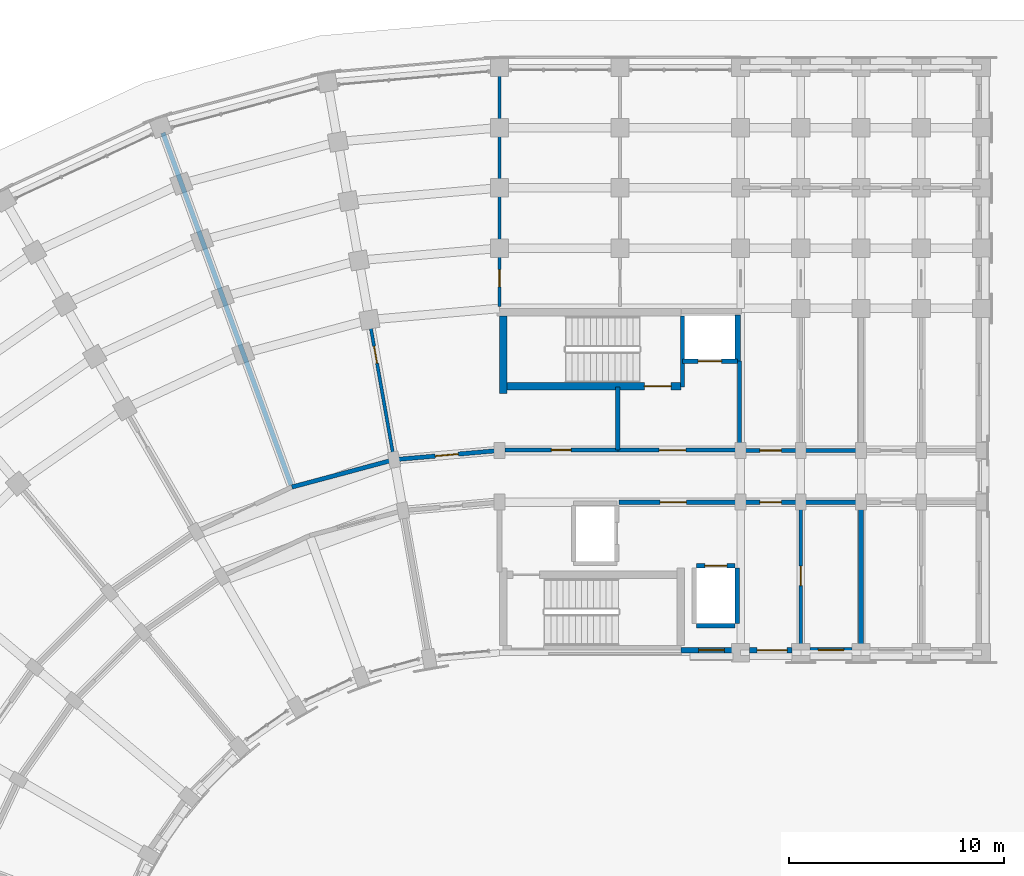
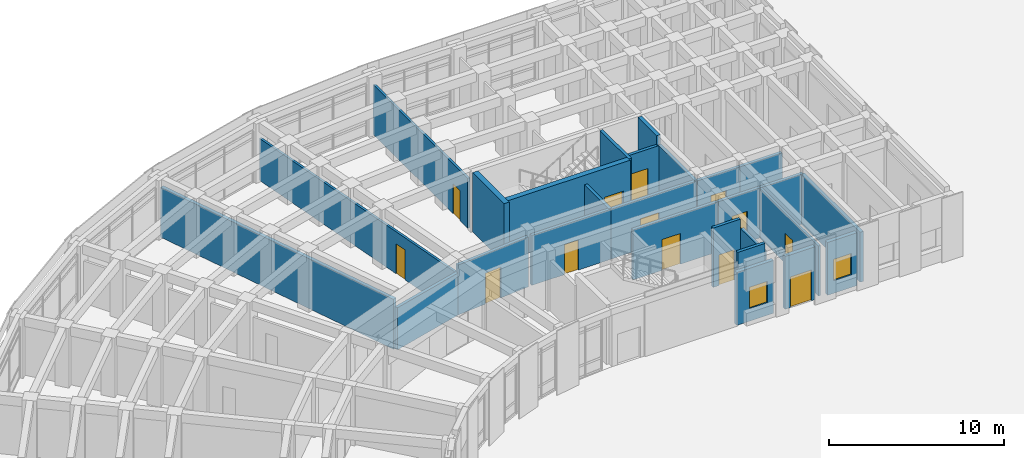
# One storey, part 101 of 135: 27 walls, 13 doors, 2 windows, 15 openings.
"""IFC4 building model written with IfcOpenShell, lengths in metres."""

from ifc_helpers import new_model, si_unit, direction, frame, frame_2d, origin, place, context, subcontext, project, spatial, rectangle, extrude, material, layer, layer_set, type_object, element, fill, save


model = new_model("IFC4")

# Units and contexts
model_context = context("Model", 3, precision=1e-05, world=origin(), true_north=direction((0.0, 1.0)))
body_context = subcontext(model_context, "Body", "Model", "MODEL_VIEW")
ifc_project = project(units=[si_unit("LENGTHUNIT", "METRE"), si_unit("AREAUNIT", "SQUARE_METRE"), si_unit("VOLUMEUNIT", "CUBIC_METRE"), si_unit("PLANEANGLEUNIT", "RADIAN"), si_unit("MASSUNIT", "GRAM", prefix="KILO")], contexts=[model_context])

# Site, building, storey
site_placement = place(None, origin())
site = spatial("IfcSite", under=ifc_project, at=site_placement, CompositionType="ELEMENT")
building_placement = place(site_placement, origin())
building = spatial("IfcBuilding", under=site, at=building_placement, Name="Kiranvali Square Residences", CompositionType="ELEMENT")
storey_placement = place(building_placement, origin())
storey = spatial("IfcBuildingStorey", under=building, at=storey_placement, Name="L00", CompositionType="ELEMENT", Elevation=0.0)

# Wall, opening, door
ifc_material_1 = material(Name="Autoclaved aerated concrete blockwork masonry", Category="masonry")
ifc_layer_1 = layer(ifc_material_1, 0.199951171875)
ifc_layer_set_1 = layer_set([ifc_layer_1], Name="Autoclaved aerated concrete blockwork masonry")
wall_type_1 = type_object("IfcWallType", Name="WL-COR-200", PredefinedType="STANDARD", material=ifc_layer_set_1)
wall_1_placement = place(storey_placement, frame((53.75, 113.60009765625, 0.0), z_axis=(0.0, 0.0, 1.0), x_axis=(1.0, 0.0, 0.0)))
wall_1 = element("IfcWall", 1, at=wall_1_placement, inside=storey, type_object=wall_type_1, Name="L00 architectural wall WL-L00-A-LL-COR", PredefinedType="STANDARD", context=body_context, shape_type="SweptSolid", body=[
    extrude(rectangle(XDim=5.60009765625, YDim=0.199951171875, at=frame_2d((2.800048828125, 0.0))), origin(), (0.0, 0.0, 1.0), 3.491943359375),
])
opening_1_placement = place(wall_1_placement, frame((1.909912109375, 0.0, 0.0)))
opening_1 = element("IfcOpeningElement", 2, at=opening_1_placement, cuts=wall_1, Name="Opening FD-COR-60", PredefinedType="OPENING", context=body_context, shape_type="SweptSolid", body=[
    extrude(rectangle(XDim=1.219970703125, YDim=2.14990234375, at=frame_2d((0.60986328125, 1.074951171875))), frame((0.0, 0.10986328125, 0.0), z_axis=(0.0, -1.0, 0.0), x_axis=(1.0, 0.0, 0.0)), (0.0, 0.0, 1.0), 0.219970703125),
])
ifc_material_2 = material(Name="Fire-rated acoustic hardwood and mineral-core door assembly", Category="wood")
door_type_1 = type_object("IfcDoorType", Name="DR-FD60-1200", OperationType="NOTDEFINED", PredefinedType="DOOR", material=ifc_material_2)
door_1_placement = place(opening_1_placement, origin())
door_1 = element("IfcDoor", 3, at=door_1_placement, inside=storey, type_object=door_type_1, Name="L00 door DR-L00-0053 (DR-FD60-1200)", OperationType="SINGLE_SWING_LEFT", OverallHeight=2.14990234375, OverallWidth=1.219970703125, PredefinedType="DOOR", context=body_context, shape_type="SweptSolid", body=[
    extrude(rectangle(XDim=1.219970703125, YDim=2.14990234375, at=frame_2d((0.60986328125, 1.074951171875))), frame((0.0, 0.02490234375, 0.0), z_axis=(0.0, -1.0, 0.0), x_axis=(1.0, 0.0, 0.0)), (0.0, 0.0, 1.0), 0.050048828125),
])
fill(opening_1, door_1)

wall_2_placement = place(storey_placement, frame((59.39990234375, 113.60009765625, 0.0), z_axis=(0.0, 0.0, 1.0), x_axis=(1.0, 0.0, 0.0)))
wall_2 = element("IfcWall", 4, at=wall_2_placement, inside=storey, type_object=wall_type_1, Name="L00 architectural wall WL-L00-A-A1CI-0", PredefinedType="STANDARD", context=body_context, shape_type="SweptSolid", body=[
    extrude(rectangle(XDim=2.800048828125, YDim=0.199951171875, at=frame_2d((1.39990234375, 0.0))), origin(), (0.0, 0.0, 1.0), 3.491943359375),
])
opening_2_placement = place(wall_2_placement, frame((0.89990234375, 0.0, 0.0)))
opening_2 = element("IfcOpeningElement", 5, at=opening_2_placement, cuts=wall_2, Name="Opening FD-APT-60", PredefinedType="OPENING", context=body_context, shape_type="SweptSolid", body=[
    extrude(rectangle(XDim=1.0, YDim=2.14990234375, at=frame_2d((0.5, 1.074951171875))), frame((0.0, 0.10986328125, 0.0), z_axis=(0.0, -1.0, 0.0), x_axis=(1.0, 0.0, 0.0)), (0.0, 0.0, 1.0), 0.219970703125),
])
door_type_2 = type_object("IfcDoorType", Name="DR-APT-1000", OperationType="NOTDEFINED", PredefinedType="DOOR", material=ifc_material_2)
door_2_placement = place(opening_2_placement, origin())
door_2 = element("IfcDoor", 6, at=door_2_placement, inside=storey, type_object=door_type_2, Name="L00 door DR-L00-0057 (DR-APT-1000)", OperationType="SINGLE_SWING_LEFT", OverallHeight=2.14990234375, OverallWidth=1.0, PredefinedType="DOOR", context=body_context, shape_type="SweptSolid", body=[
    extrude(rectangle(XDim=1.0, YDim=2.14990234375, at=frame_2d((0.5, 1.074951171875))), frame((0.0, 0.02490234375, 0.0), z_axis=(0.0, -1.0, 0.0), x_axis=(1.0, 0.0, 0.0)), (0.0, 0.0, 1.0), 0.050048828125),
])
fill(opening_2, door_2)

wall_3_placement = place(storey_placement, frame((59.39990234375, 116.0, 0.0), z_axis=(0.0, 0.0, 1.0), x_axis=(1.0, 0.0, 0.0)))
wall_3 = element("IfcWall", 7, at=wall_3_placement, inside=storey, type_object=wall_type_1, Name="L00 architectural wall WL-L00-A-A1CO-0", PredefinedType="STANDARD", context=body_context, shape_type="SweptSolid", body=[
    extrude(rectangle(XDim=2.800048828125, YDim=0.199951171875, at=frame_2d((1.39990234375, 0.0))), origin(), (0.0, 0.0, 1.0), 3.491943359375),
])
opening_3_placement = place(wall_3_placement, frame((0.89990234375, 0.0, 0.0)))
opening_3 = element("IfcOpeningElement", 8, at=opening_3_placement, cuts=wall_3, Name="Opening FD-APT-60", PredefinedType="OPENING", context=body_context, shape_type="SweptSolid", body=[
    extrude(rectangle(XDim=1.0, YDim=2.14990234375, at=frame_2d((0.5, 1.074951171875))), frame((0.0, 0.10986328125, 0.0), z_axis=(0.0, -1.0, 0.0), x_axis=(1.0, 0.0, 0.0)), (0.0, 0.0, 1.0), 0.219970703125),
])
door_3_placement = place(opening_3_placement, origin())
door_3 = element("IfcDoor", 9, at=door_3_placement, inside=storey, type_object=door_type_2, Name="L00 door DR-L00-0059 (DR-APT-1000)", OperationType="SINGLE_SWING_LEFT", OverallHeight=2.14990234375, OverallWidth=1.0, PredefinedType="DOOR", context=body_context, shape_type="SweptSolid", body=[
    extrude(rectangle(XDim=1.0, YDim=2.14990234375, at=frame_2d((0.5, 1.074951171875))), frame((0.0, 0.02490234375, 0.0), z_axis=(0.0, -1.0, 0.0), x_axis=(1.0, 0.0, 0.0)), (0.0, 0.0, 1.0), 0.050048828125),
])
fill(opening_3, door_3)

# Walls
for number, where, z_axis, x_axis, name in (
    (10, (62.199951171875, 113.60009765625, 0.0), (0.0, 0.0, 1.0), (1.0, 0.0, 0.0), "L00 architectural wall WL-L00-A-A1CI-1"),
    (11, (62.199951171875, 116.0, 0.0), (0.0, 0.0, 1.0), (1.0, 0.0, 0.0), "L00 architectural wall WL-L00-A-A1CO-1"),
):
    element("IfcWall", number, at=place(storey_placement, frame(where, z_axis=z_axis, x_axis=x_axis)), inside=storey, type_object=wall_type_1, Name=name, PredefinedType="STANDARD", context=body_context, shape_type="SweptSolid", body=[
        extrude(rectangle(XDim=2.800048828125, YDim=0.199951171875, at=frame_2d((1.39990234375, 0.0))), origin(), (0.0, 0.0, 1.0), 3.491943359375),
    ])

# Wall, opening, door
wall_4_placement = place(storey_placement, frame((48.199951171875, 116.0, 0.0), z_axis=(0.0, 0.0, 1.0), x_axis=(-0.996193663584, -0.087167566415, 0.0)))
wall_4 = element("IfcWall", 12, at=wall_4_placement, inside=storey, type_object=wall_type_1, Name="L00 architectural wall WL-L00-A-CCO-0", PredefinedType="STANDARD", context=body_context, shape_type="SweptSolid", body=[
    extrude(rectangle(XDim=4.91552734375, YDim=0.199951171875, at=frame_2d((2.457763671875, 0.0))), origin(), (0.0, 0.0, 1.0), 3.491943359375),
])
opening_4_placement = place(wall_4_placement, frame((1.917724609375, 0.0, 0.0)))
opening_4 = element("IfcOpeningElement", 13, at=opening_4_placement, cuts=wall_4, Name="Opening FD-APT-60C", PredefinedType="OPENING", context=body_context, shape_type="SweptSolid", body=[
    extrude(rectangle(XDim=1.080078125, YDim=2.14990234375, at=frame_2d((0.5400390625, 1.074951171875))), frame((0.0, 0.10986328125, 0.0), z_axis=(0.0, -1.0, 0.0), x_axis=(1.0, 0.0, 0.0)), (0.0, 0.0, 1.0), 0.219970703125),
])
door_type_3 = type_object("IfcDoorType", Name="DR-APT-1080", OperationType="NOTDEFINED", PredefinedType="DOOR", material=ifc_material_2)
door_4_placement = place(opening_4_placement, origin())
door_4 = element("IfcDoor", 14, at=door_4_placement, inside=storey, type_object=door_type_3, Name="L00 door DR-L00-0077 (DR-APT-1080)", OperationType="SINGLE_SWING_LEFT", OverallHeight=2.14990234375, OverallWidth=1.080078125, PredefinedType="DOOR", context=body_context, shape_type="SweptSolid", body=[
    extrude(rectangle(XDim=1.080078125, YDim=2.14990234375, at=frame_2d((0.5400390625, 1.074951171875))), frame((0.0, 0.02490234375, 0.0), z_axis=(0.0, -1.0, 0.0), x_axis=(1.0, 0.0, 0.0)), (0.0, 0.0, 1.0), 0.050048828125),
])
fill(opening_4, door_4)

# Walls
wall_5_placement = place(storey_placement, frame((43.30322265625, 115.571533203125, 0.0), z_axis=(0.0, 0.0, 1.0), x_axis=(-0.965930095386, -0.258803112091, 0.0)))
element("IfcWall", 15, at=wall_5_placement, inside=storey, type_object=wall_type_1, Name="L00 architectural wall WL-L00-A-CCO-1", PredefinedType="STANDARD", context=body_context, shape_type="SweptSolid", body=[
    extrude(rectangle(XDim=4.915771484375, YDim=0.199951171875, at=frame_2d((2.4580078125, 0.0))), origin(), (0.0, 0.0, 1.0), 2.94189453125),
])
ifc_layer_2 = layer(ifc_material_1, 0.219970703125)
ifc_layer_set_2 = layer_set([ifc_layer_2], Name="Autoclaved aerated concrete blockwork masonry")
wall_type_2 = type_object("IfcWallType", Name="WL-DEM-220", PredefinedType="STANDARD", material=ifc_layer_set_2)
wall_6_placement = place(storey_placement, frame((65.0, 106.800048828125, 0.0), z_axis=(0.0, 0.0, 1.0), x_axis=(0.0, 1.0, 0.0)))
element("IfcWall", 16, at=wall_6_placement, inside=storey, type_object=wall_type_2, Name="L00 architectural wall WL-L00-A-A1TI-2", PredefinedType="STANDARD", context=body_context, shape_type="SweptSolid", body=[
    extrude(rectangle(XDim=6.75, YDim=0.219970703125, at=frame_2d((3.375, 0.0))), origin(), (0.0, 0.0, 1.0), 3.491943359375),
])
ifc_layer_3 = layer(ifc_material_1, 0.22998046875)
ifc_layer_set_3 = layer_set([ifc_layer_3], Name="Autoclaved aerated concrete blockwork masonry")
wall_type_3 = type_object("IfcWallType", Name="WL-DEM-230", PredefinedType="STANDARD", material=ifc_layer_set_3)
wall_7_placement = place(storey_placement, frame((38.520751953125, 114.393310546875, 0.0), z_axis=(0.0, 0.0, 1.0), x_axis=(-0.342022120477, 0.939691901159, 0.0)))
element("IfcWall", 17, at=wall_7_placement, inside=storey, type_object=wall_type_3, Name="L00 architectural wall WL-L00-A-RADO-2", PredefinedType="STANDARD", context=body_context, shape_type="SweptSolid", body=[
    extrude(rectangle(XDim=17.419921875, YDim=0.22998046875, at=frame_2d((8.7099609375, 0.0))), origin(), (0.0, 0.0, 1.0), 3.491943359375),
])

# Wall, opening, window
ifc_material_3 = material(Name="Breathable lime-rendered clay brick masonry", Category="masonry")
ifc_layer_4 = layer(ifc_material_3, 0.25)
ifc_layer_set_4 = layer_set([ifc_layer_4], Name="Breathable lime-rendered clay brick masonry")
wall_type_4 = type_object("IfcWallType", Name="WL-EXT-250", PredefinedType="STANDARD", material=ifc_layer_set_4)
wall_8_placement = place(storey_placement, frame((56.62841796875, 106.72509765625, 0.0), z_axis=(0.0, 0.0, 1.0), x_axis=(1.0, 0.0, 0.0)))
wall_8 = element("IfcWall", 18, at=wall_8_placement, inside=storey, type_object=wall_type_4, Name="L00 exterior wall A-L00-A1IN-0", PredefinedType="STANDARD", context=body_context, shape_type="SweptSolid", body=[
    extrude(rectangle(XDim=2.421630859375, YDim=0.25, at=frame_2d((1.2109375, 0.0))), origin(), (0.0, 0.0, 1.0), 3.69189453125),
])
opening_5_placement = place(wall_8_placement, frame((0.821533203125, 0.0, 0.8798828125)))
opening_5 = element("IfcOpeningElement", 19, at=opening_5_placement, cuts=wall_8, Name="Opening W-06", PredefinedType="OPENING", context=body_context, shape_type="SweptSolid", body=[
    extrude(rectangle(XDim=1.199951171875, YDim=1.5, at=frame_2d((0.60009765625, 0.75))), frame((0.0, 0.135009765625, 0.0), z_axis=(0.0, -1.0, 0.0), x_axis=(1.0, 0.0, 0.0)), (0.0, 0.0, 1.0), 0.27001953125),
])
ifc_material_4 = material(Name="Solar-control low-e double glazing", Category="glass")
window_type = type_object("IfcWindowType", Name="WIN-RES-1200x1500", PartitioningType="SINGLE_PANEL", PredefinedType="WINDOW", material=ifc_material_4)
window_1_placement = place(opening_5_placement, origin())
window_1 = element("IfcWindow", 20, at=window_1_placement, inside=storey, type_object=window_type, Name="L00 recessed window A-L00-A1IN-0", OverallHeight=1.5, OverallWidth=1.199951171875, PartitioningType="SINGLE_PANEL", PredefinedType="WINDOW", context=body_context, shape_type="SweptSolid", body=[
    extrude(rectangle(XDim=1.199951171875, YDim=1.5, at=frame_2d((0.60009765625, 0.75))), frame((0.0, 0.030029296875, 0.0), z_axis=(0.0, -1.0, 0.0), x_axis=(1.0, 0.0, 0.0)), (0.0, 0.0, 1.0), 0.06005859375),
])
fill(opening_5, window_1)

# Wall, opening, door
wall_9_placement = place(storey_placement, frame((59.820068359375, 106.72509765625, 0.0), z_axis=(0.0, 0.0, 1.0), x_axis=(1.0, 0.0, 0.0)))
wall_9 = element("IfcWall", 21, at=wall_9_placement, inside=storey, type_object=wall_type_4, Name="L00 exterior wall A-L00-A1I-0", PredefinedType="STANDARD", context=body_context, shape_type="SweptSolid", body=[
    extrude(rectangle(XDim=1.9599609375, YDim=0.25, at=frame_2d((0.97998046875, 0.0))), origin(), (0.0, 0.0, 1.0), 3.69189453125),
])
opening_6_placement = place(wall_9_placement, frame((0.35009765625, 0.0, 0.0)))
opening_6 = element("IfcOpeningElement", 22, at=opening_6_placement, cuts=wall_9, Name="Opening ED-EX-140", PredefinedType="OPENING", context=body_context, shape_type="SweptSolid", body=[
    extrude(rectangle(XDim=1.39990234375, YDim=2.14990234375, at=frame_2d((0.699951171875, 1.074951171875))), frame((0.0, 0.135009765625, 0.0), z_axis=(0.0, -1.0, 0.0), x_axis=(1.0, 0.0, 0.0)), (0.0, 0.0, 1.0), 0.27001953125),
])
door_type_4 = type_object("IfcDoorType", Name="DR-EXIT-1400", OperationType="NOTDEFINED", PredefinedType="DOOR", material=ifc_material_2)
door_5_placement = place(opening_6_placement, frame((1.39990234375, 0.0, 0.0), z_axis=(0.0, 0.0, 1.0), x_axis=(-1.0, 0.0, 0.0)))
door_5 = element("IfcDoor", 23, at=door_5_placement, inside=storey, type_object=door_type_4, Name="Block A garden promenade exit door", OperationType="SINGLE_SWING_LEFT", OverallHeight=2.14990234375, OverallWidth=1.39990234375, PredefinedType="DOOR", context=body_context, shape_type="SweptSolid", body=[
    extrude(rectangle(XDim=1.39990234375, YDim=2.14990234375, at=frame_2d((0.699951171875, 1.074951171875))), frame((0.0, 0.02490234375, 0.0), z_axis=(0.0, -1.0, 0.0), x_axis=(1.0, 0.0, 0.0)), (0.0, 0.0, 1.0), 0.050048828125),
])
fill(opening_6, door_5)

# Wall, opening, window
wall_10_placement = place(storey_placement, frame((62.6201171875, 106.72509765625, 0.0), z_axis=(0.0, 0.0, 1.0), x_axis=(1.0, 0.0, 0.0)))
wall_10 = element("IfcWall", 24, at=wall_10_placement, inside=storey, type_object=wall_type_4, Name="L00 exterior wall A-L00-A1I-1", PredefinedType="STANDARD", context=body_context, shape_type="SweptSolid", body=[
    extrude(rectangle(XDim=1.9599609375, YDim=0.25, at=frame_2d((0.97998046875, 0.0))), origin(), (0.0, 0.0, 1.0), 3.69189453125),
])
opening_7_placement = place(wall_10_placement, frame((0.3798828125, 0.0, 0.8798828125)))
opening_7 = element("IfcOpeningElement", 25, at=opening_7_placement, cuts=wall_10, Name="Opening W-06", PredefinedType="OPENING", context=body_context, shape_type="SweptSolid", body=[
    extrude(rectangle(XDim=1.199951171875, YDim=1.5, at=frame_2d((0.60009765625, 0.75))), frame((0.0, 0.135009765625, 0.0), z_axis=(0.0, -1.0, 0.0), x_axis=(1.0, 0.0, 0.0)), (0.0, 0.0, 1.0), 0.27001953125),
])
window_2_placement = place(opening_7_placement, origin())
window_2 = element("IfcWindow", 26, at=window_2_placement, inside=storey, type_object=window_type, Name="L00 recessed window A-L00-A1I-1", OverallHeight=1.5, OverallWidth=1.199951171875, PartitioningType="SINGLE_PANEL", PredefinedType="WINDOW", context=body_context, shape_type="SweptSolid", body=[
    extrude(rectangle(XDim=1.199951171875, YDim=1.5, at=frame_2d((0.60009765625, 0.75))), frame((0.0, 0.030029296875, 0.0), z_axis=(0.0, -1.0, 0.0), x_axis=(1.0, 0.0, 0.0)), (0.0, 0.0, 1.0), 0.06005859375),
])
fill(opening_7, window_2)

# Wall, opening, door
ifc_layer_5 = layer(ifc_material_1, 0.199951171875)
ifc_layer_set_5 = layer_set([ifc_layer_5], Name="Autoclaved aerated concrete blockwork masonry")
wall_type_5 = type_object("IfcWallType", Name="WL-FFL-200", PredefinedType="STANDARD", material=ifc_layer_set_5)
wall_11_placement = place(storey_placement, frame((53.699951171875, 116.02001953125, 0.0), z_axis=(0.0, 0.0, 1.0), x_axis=(1.0, 0.0, 0.0)))
wall_11 = element("IfcWall", 27, at=wall_11_placement, inside=storey, type_object=wall_type_5, Name="L00 architectural wall WL-L00-A-FF-COR", PredefinedType="STANDARD", context=body_context, shape_type="SweptSolid", body=[
    extrude(rectangle(XDim=5.650146484375, YDim=0.199951171875, at=frame_2d((2.8251953125, 0.0))), origin(), (0.0, 0.0, 1.0), 3.491943359375),
])
opening_8_placement = place(wall_11_placement, frame((1.922607421875, 0.0, 0.0)))
opening_8 = element("IfcOpeningElement", 28, at=opening_8_placement, cuts=wall_11, Name="Opening FD-ST-120", PredefinedType="OPENING", context=body_context, shape_type="SweptSolid", body=[
    extrude(rectangle(XDim=1.239990234375, YDim=2.14990234375, at=frame_2d((0.6201171875, 1.074951171875))), frame((0.0, 0.10986328125, 0.0), z_axis=(0.0, -1.0, 0.0), x_axis=(1.0, 0.0, 0.0)), (0.0, 0.0, 1.0), 0.219970703125),
])
door_type_5 = type_object("IfcDoorType", Name="DR-FD120-1200", OperationType="NOTDEFINED", PredefinedType="DOOR", material=ifc_material_2)
door_6_placement = place(opening_8_placement, origin())
door_6 = element("IfcDoor", 29, at=door_6_placement, inside=storey, type_object=door_type_5, Name="L00 door DR-L00-0043 (DR-FD120-1200)", OperationType="SINGLE_SWING_LEFT", OverallHeight=2.14990234375, OverallWidth=1.239990234375, PredefinedType="DOOR", context=body_context, shape_type="SweptSolid", body=[
    extrude(rectangle(XDim=1.239990234375, YDim=2.14990234375, at=frame_2d((0.6201171875, 1.074951171875))), frame((0.0, 0.02490234375, 0.0), z_axis=(0.0, -1.0, 0.0), x_axis=(1.0, 0.0, 0.0)), (0.0, 0.0, 1.0), 0.050048828125),
])
fill(opening_8, door_6)

# Walls
wall_12_placement = place(storey_placement, frame((53.699951171875, 116.02001953125, 0.0), z_axis=(0.0, 0.0, 1.0), x_axis=(0.0, 1.0, 0.0)))
element("IfcWall", 30, at=wall_12_placement, inside=storey, type_object=wall_type_5, Name="L00 architectural wall WL-L00-A-FF-DIV", PredefinedType="STANDARD", context=body_context, shape_type="SweptSolid", body=[
    extrude(rectangle(XDim=2.929931640625, YDim=0.199951171875, at=frame_2d((1.46484375, 0.0))), origin(), (0.0, 0.0, 1.0), 3.491943359375),
])
wall_13_placement = place(storey_placement, frame((59.35009765625, 116.02001953125, 0.0), z_axis=(0.0, 0.0, 1.0), x_axis=(0.0, 1.0, 0.0)))
element("IfcWall", 31, at=wall_13_placement, inside=storey, type_object=wall_type_5, Name="L00 architectural wall WL-L00-A-FF-END", PredefinedType="STANDARD", context=body_context, shape_type="SweptSolid", body=[
    extrude(rectangle(XDim=4.1298828125, YDim=0.199951171875, at=frame_2d((2.06494140625, 0.0))), origin(), (0.0, 0.0, 1.0), 3.491943359375),
])

# Wall, opening, door
wall_14_placement = place(storey_placement, frame((56.699951171875, 120.14990234375, 0.0), z_axis=(0.0, 0.0, 1.0), x_axis=(1.0, 0.0, 0.0)))
wall_14 = element("IfcWall", 32, at=wall_14_placement, inside=storey, type_object=wall_type_5, Name="L00 architectural wall WL-L00-A-FF-LFT", PredefinedType="STANDARD", context=body_context, shape_type="SweptSolid", body=[
    extrude(rectangle(XDim=2.550048828125, YDim=0.199951171875, at=frame_2d((1.27490234375, 0.0))), origin(), (0.0, 0.0, 1.0), 3.491943359375),
])
opening_9_placement = place(wall_14_placement, frame((0.72509765625, 0.0, 0.0)))
opening_9 = element("IfcOpeningElement", 33, at=opening_9_placement, cuts=wall_14, Name="Opening LD-FF-110", PredefinedType="OPENING", context=body_context, shape_type="SweptSolid", body=[
    extrude(rectangle(XDim=1.10009765625, YDim=2.14990234375, at=frame_2d((0.550048828125, 1.074951171875))), frame((0.0, 0.10986328125, 0.0), z_axis=(0.0, -1.0, 0.0), x_axis=(1.0, 0.0, 0.0)), (0.0, 0.0, 1.0), 0.219970703125),
])
door_type_6 = type_object("IfcDoorType", Name="DR-LIFT-FF-1100", OperationType="SLIDING_TO_LEFT", PredefinedType="DOOR", material=ifc_material_2)
door_7_placement = place(opening_9_placement, origin())
door_7 = element("IfcDoor", 34, at=door_7_placement, inside=storey, type_object=door_type_6, Name="L00 door DR-L00-0045 (DR-LIFT-FF-1100)", OperationType="SLIDING_TO_LEFT", OverallHeight=2.14990234375, OverallWidth=1.10009765625, PredefinedType="DOOR", context=body_context, shape_type="SweptSolid", body=[
    extrude(rectangle(XDim=1.10009765625, YDim=2.14990234375, at=frame_2d((0.550048828125, 1.074951171875))), frame((0.0, 0.02490234375, 0.0), z_axis=(0.0, -1.0, 0.0), x_axis=(1.0, 0.0, 0.0)), (0.0, 0.0, 1.0), 0.050048828125),
])
fill(opening_9, door_7)

ifc_material_5 = material(Name="Acoustic gypsum board drylined partition", Category="gypsum")
ifc_layer_6 = layer(ifc_material_5, 0.14990234375)
ifc_layer_set_6 = layer_set([ifc_layer_6], Name="Acoustic gypsum board drylined partition")
wall_type_6 = type_object("IfcWallType", Name="WL-PRT-150", PredefinedType="PARTITIONING", material=ifc_layer_set_6)
wall_15_placement = place(storey_placement, frame((62.199951171875, 106.800048828125, 0.0), z_axis=(0.0, 0.0, 1.0), x_axis=(0.0, 1.0, 0.0)))
wall_15 = element("IfcWall", 35, at=wall_15_placement, inside=storey, type_object=wall_type_6, Name="L00 architectural wall WL-L00-A-A1TI-1", PredefinedType="PARTITIONING", context=body_context, shape_type="SweptSolid", body=[
    extrude(rectangle(XDim=6.75, YDim=0.14990234375, at=frame_2d((3.375, 0.0))), origin(), (0.0, 0.0, 1.0), 3.491943359375),
])
opening_10_placement = place(wall_15_placement, frame((2.925048828125, 0.0, 0.0)))
opening_10 = element("IfcOpeningElement", 36, at=opening_10_placement, cuts=wall_15, Name="Opening ID-1", PredefinedType="OPENING", context=body_context, shape_type="SweptSolid", body=[
    extrude(rectangle(XDim=0.89990234375, YDim=2.10009765625, at=frame_2d((0.449951171875, 1.050048828125))), frame((0.0, 0.0849609375, 0.0), z_axis=(0.0, -1.0, 0.0), x_axis=(1.0, 0.0, 0.0)), (0.0, 0.0, 1.0), 0.169921875),
])
ifc_material_6 = material(Name="Solid seasoned teak hardwood joinery", Category="wood")
door_type_7 = type_object("IfcDoorType", Name="DR-INT-900", OperationType="NOTDEFINED", PredefinedType="DOOR", material=ifc_material_6)
door_8_placement = place(opening_10_placement, frame((0.89990234375, 0.0, 0.0), z_axis=(0.0, 0.0, 1.0), x_axis=(-1.0, 0.0, 0.0)))
door_8 = element("IfcDoor", 37, at=door_8_placement, inside=storey, type_object=door_type_7, Name="L00 door DR-L00-0066 (DR-INT-900)", OperationType="SINGLE_SWING_RIGHT", OverallHeight=2.10009765625, OverallWidth=0.89990234375, PredefinedType="DOOR", context=body_context, shape_type="SweptSolid", body=[
    extrude(rectangle(XDim=0.89990234375, YDim=2.10009765625, at=frame_2d((0.449951171875, 1.050048828125))), frame((0.0, 0.02490234375, 0.0), z_axis=(0.0, -1.0, 0.0), x_axis=(1.0, 0.0, 0.0)), (0.0, 0.0, 1.0), 0.050048828125),
])
fill(opening_10, door_8)

wall_16_placement = place(storey_placement, frame((48.199951171875, 122.699951171875, 0.0), z_axis=(0.0, 0.0, 1.0), x_axis=(0.0, 1.0, 0.0)))
wall_16 = element("IfcWall", 38, at=wall_16_placement, inside=storey, type_object=wall_type_6, Name="L00 architectural wall WL-L00-A-RADO-0", PredefinedType="PARTITIONING", context=body_context, shape_type="SweptSolid", body=[
    extrude(rectangle(XDim=10.820068359375, YDim=0.14990234375, at=frame_2d((5.41015625, 0.0))), origin(), (0.0, 0.0, 1.0), 3.491943359375),
])
opening_11_placement = place(wall_16_placement, frame((0.8994140625, 0.0, 0.0)))
opening_11 = element("IfcOpeningElement", 39, at=opening_11_placement, cuts=wall_16, Name="Opening ID-WET", PredefinedType="OPENING", context=body_context, shape_type="SweptSolid", body=[
    extrude(rectangle(XDim=0.800048828125, YDim=2.10009765625, at=frame_2d((0.39990234375, 1.050048828125))), frame((0.0, 0.0849609375, 0.0), z_axis=(0.0, -1.0, 0.0), x_axis=(1.0, 0.0, 0.0)), (0.0, 0.0, 1.0), 0.169921875),
])
door_type_8 = type_object("IfcDoorType", Name="DR-WET-800", OperationType="NOTDEFINED", PredefinedType="DOOR", material=ifc_material_6)
door_9_placement = place(opening_11_placement, frame((0.800048828125, 0.0, 0.0), z_axis=(0.0, 0.0, 1.0), x_axis=(-1.0, 0.0, 0.0)))
door_9 = element("IfcDoor", 40, at=door_9_placement, inside=storey, type_object=door_type_8, Name="L00 door DR-L00-0072 (DR-WET-800)", OperationType="SINGLE_SWING_RIGHT", OverallHeight=2.10009765625, OverallWidth=0.800048828125, PredefinedType="DOOR", context=body_context, shape_type="SweptSolid", body=[
    extrude(rectangle(XDim=0.800048828125, YDim=2.10009765625, at=frame_2d((0.39990234375, 1.050048828125))), frame((0.0, 0.02490234375, 0.0), z_axis=(0.0, -1.0, 0.0), x_axis=(1.0, 0.0, 0.0)), (0.0, 0.0, 1.0), 0.050048828125),
])
fill(opening_11, door_9)

wall_17_placement = place(storey_placement, frame((43.28564453125, 115.670166015625, 0.0), z_axis=(0.0, 0.0, 1.0), x_axis=(-0.173646216546, 0.984808098809, 0.0)))
wall_17 = element("IfcWall", 41, at=wall_17_placement, inside=storey, type_object=wall_type_6, Name="L00 architectural wall WL-L00-A-RADO-1", PredefinedType="PARTITIONING", context=body_context, shape_type="SweptSolid", body=[
    extrude(rectangle(XDim=17.419921875, YDim=0.14990234375, at=frame_2d((8.7099609375, 0.0))), origin(), (0.0, 0.0, 1.0), 2.94189453125),
])
opening_12_placement = place(wall_17_placement, frame((4.44970703125, 0.0, 0.0)))
opening_12 = element("IfcOpeningElement", 42, at=opening_12_placement, cuts=wall_17, Name="Opening ID-WET", PredefinedType="OPENING", context=body_context, shape_type="SweptSolid", body=[
    extrude(rectangle(XDim=0.800048828125, YDim=2.10009765625, at=frame_2d((0.39990234375, 1.050048828125))), frame((0.0, 0.0849609375, 0.0), z_axis=(0.0, -1.0, 0.0), x_axis=(1.0, 0.0, 0.0)), (0.0, 0.0, 1.0), 0.169921875),
])
door_10_placement = place(opening_12_placement, origin())
door_10 = element("IfcDoor", 43, at=door_10_placement, inside=storey, type_object=door_type_8, Name="L00 door DR-L00-0073 (DR-WET-800)", OperationType="SINGLE_SWING_LEFT", OverallHeight=2.10009765625, OverallWidth=0.800048828125, PredefinedType="DOOR", context=body_context, shape_type="SweptSolid", body=[
    extrude(rectangle(XDim=0.800048828125, YDim=2.10009765625, at=frame_2d((0.39990234375, 1.050048828125))), frame((0.0, 0.02490234375, 0.0), z_axis=(0.0, -1.0, 0.0), x_axis=(1.0, 0.0, 0.0)), (0.0, 0.0, 1.0), 0.050048828125),
])
fill(opening_12, door_10)

ifc_layer_7 = layer(ifc_material_1, 0.199951171875)
ifc_layer_set_7 = layer_set([ifc_layer_7], Name="Autoclaved aerated concrete blockwork masonry")
wall_type_7 = type_object("IfcWallType", Name="WL-SHF-200", PredefinedType="STANDARD", material=ifc_layer_set_7)
wall_18_placement = place(storey_placement, frame((48.449951171875, 116.02001953125, 0.0), z_axis=(0.0, 0.0, 1.0), x_axis=(1.0, 0.0, 0.0)))
wall_18 = element("IfcWall", 44, at=wall_18_placement, inside=storey, type_object=wall_type_7, Name="L00 architectural wall WL-L00-A-RSR-COR", PredefinedType="STANDARD", context=body_context, shape_type="SweptSolid", body=[
    extrude(rectangle(XDim=5.25, YDim=0.199951171875, at=frame_2d((2.625, 0.0))), origin(), (0.0, 0.0, 1.0), 3.491943359375),
])
opening_13_placement = place(wall_18_placement, frame((2.1650390625, 0.0, 0.0)))
opening_13 = element("IfcOpeningElement", 45, at=opening_13_placement, cuts=wall_18, Name="Opening FD-SVC-120", PredefinedType="OPENING", context=body_context, shape_type="SweptSolid", body=[
    extrude(rectangle(XDim=0.919921875, YDim=2.10009765625, at=frame_2d((0.4599609375, 1.050048828125))), frame((0.0, 0.10986328125, 0.0), z_axis=(0.0, -1.0, 0.0), x_axis=(1.0, 0.0, 0.0)), (0.0, 0.0, 1.0), 0.219970703125),
])
door_type_9 = type_object("IfcDoorType", Name="DR-SVC-900", OperationType="NOTDEFINED", PredefinedType="DOOR", material=ifc_material_2)
door_11_placement = place(opening_13_placement, frame((0.919921875, 0.0, 0.0), z_axis=(0.0, 0.0, 1.0), x_axis=(-1.0, 0.0, 0.0)))
door_11 = element("IfcDoor", 46, at=door_11_placement, inside=storey, type_object=door_type_9, Name="L00 door DR-L00-0044 (DR-SVC-900)", OperationType="SINGLE_SWING_RIGHT", OverallHeight=2.10009765625, OverallWidth=0.919921875, PredefinedType="DOOR", context=body_context, shape_type="SweptSolid", body=[
    extrude(rectangle(XDim=0.919921875, YDim=2.10009765625, at=frame_2d((0.4599609375, 1.050048828125))), frame((0.0, 0.02490234375, 0.0), z_axis=(0.0, -1.0, 0.0), x_axis=(1.0, 0.0, 0.0)), (0.0, 0.0, 1.0), 0.050048828125),
])
fill(opening_13, door_11)

# Walls
wall_19_placement = place(storey_placement, frame((56.699951171875, 118.949951171875, 0.0), z_axis=(0.0, 0.0, 1.0), x_axis=(0.0, 1.0, 0.0)))
element("IfcWall", 47, at=wall_19_placement, inside=storey, type_object=wall_type_7, Name="L00 architectural wall WL-L00-A-FF-SHF", PredefinedType="STANDARD", context=body_context, shape_type="SweptSolid", body=[
    extrude(rectangle(XDim=3.300048828125, YDim=0.199951171875, at=frame_2d((1.64990234375, 0.0))), origin(), (0.0, 0.0, 1.0), 4.14990234375),
])
wall_20_placement = place(storey_placement, frame((59.25, 107.949951171875, 0.0), z_axis=(0.0, 0.0, 1.0), x_axis=(0.0, 1.0, 0.0)))
element("IfcWall", 48, at=wall_20_placement, inside=storey, type_object=wall_type_7, Name="L00 architectural wall WL-L00-A-LP1-B", PredefinedType="STANDARD", context=body_context, shape_type="SweptSolid", body=[
    extrude(rectangle(XDim=2.60009765625, YDim=0.199951171875, at=frame_2d((1.300048828125, 0.0))), origin(), (0.0, 0.0, 1.0), 3.491943359375),
])
wall_21_placement = place(storey_placement, frame((57.35009765625, 107.85009765625, 0.0), z_axis=(0.0, 0.0, 1.0), x_axis=(1.0, 0.0, 0.0)))
element("IfcWall", 49, at=wall_21_placement, inside=storey, type_object=wall_type_7, Name="L00 architectural wall WL-L00-A-LP1-S2", PredefinedType="STANDARD", context=body_context, shape_type="SweptSolid", body=[
    extrude(rectangle(XDim=1.7998046875, YDim=0.199951171875, at=frame_2d((0.89990234375, 0.0))), origin(), (0.0, 0.0, 1.0), 4.14990234375),
])

# Wall, opening, door
wall_22_placement = place(storey_placement, frame((57.35009765625, 110.64990234375, 0.0), z_axis=(0.0, 0.0, 1.0), x_axis=(1.0, 0.0, 0.0)))
wall_22 = element("IfcWall", 50, at=wall_22_placement, inside=storey, type_object=wall_type_7, Name="L00 architectural wall WL-L00-A-LP1-F", PredefinedType="STANDARD", context=body_context, shape_type="SweptSolid", body=[
    extrude(rectangle(XDim=1.7998046875, YDim=0.199951171875, at=frame_2d((0.89990234375, 0.0))), origin(), (0.0, 0.0, 1.0), 4.14990234375),
])
opening_14_placement = place(wall_22_placement, frame((0.389892578125, 0.0, 0.0)))
opening_14 = element("IfcOpeningElement", 51, at=opening_14_placement, cuts=wall_22, Name="Opening LD-PAX-100", PredefinedType="OPENING", context=body_context, shape_type="SweptSolid", body=[
    extrude(rectangle(XDim=1.02001953125, YDim=2.14990234375, at=frame_2d((0.510009765625, 1.074951171875))), frame((0.0, 0.10986328125, 0.0), z_axis=(0.0, -1.0, 0.0), x_axis=(1.0, 0.0, 0.0)), (0.0, 0.0, 1.0), 0.219970703125),
])
door_type_10 = type_object("IfcDoorType", Name="DR-LIFT-1000", OperationType="SLIDING_TO_RIGHT", PredefinedType="DOOR", material=ifc_material_2)
door_12_placement = place(opening_14_placement, origin())
door_12 = element("IfcDoor", 52, at=door_12_placement, inside=storey, type_object=door_type_10, Name="L00 door DR-L00-0051 (DR-LIFT-1000)", OperationType="SLIDING_TO_RIGHT", OverallHeight=2.14990234375, OverallWidth=1.02001953125, PredefinedType="DOOR", context=body_context, shape_type="SweptSolid", body=[
    extrude(rectangle(XDim=1.02001953125, YDim=2.14990234375, at=frame_2d((0.510009765625, 1.074951171875))), frame((0.0, 0.02490234375, 0.0), z_axis=(0.0, -1.0, 0.0), x_axis=(1.0, 0.0, 0.0)), (0.0, 0.0, 1.0), 0.050048828125),
])
fill(opening_14, door_12)

# Wall
ifc_material_7 = material(Name="Concrete M45 (45 MPa)", Category="concrete")
ifc_layer_8 = layer(ifc_material_7, 0.25)
ifc_layer_set_8 = layer_set([ifc_layer_8], Name="Concrete M45 (45 MPa)")
wall_type_8 = type_object("IfcWallType", Name="WL-SHR-250", PredefinedType="SHEAR", material=ifc_layer_set_8)
wall_23_placement = place(storey_placement, frame((59.27490234375, 120.14990234375, 0.0), z_axis=(0.0, 0.0, 1.0), x_axis=(0.0, 1.0, 0.0)))
element("IfcWall", 53, at=wall_23_placement, inside=storey, type_object=wall_type_8, Name="Block A core shear wall SW-AFF-SD-L00", PredefinedType="SHEAR", context=body_context, shape_type="SweptSolid", body=[
    extrude(rectangle(XDim=2.150146484375, YDim=0.25, at=frame_2d((1.0751953125, 0.0))), origin(), (0.0, 0.0, 1.0), 4.14990234375),
])

# Wall, opening, door
ifc_material_8 = material(Name="Concrete M50 (50 MPa)", Category="concrete")
ifc_layer_9 = layer(ifc_material_8, 0.35009765625)
ifc_layer_set_9 = layer_set([ifc_layer_9], Name="Concrete M50 (50 MPa)")
wall_type_9 = type_object("IfcWallType", Name="WL-SHR-350", PredefinedType="SHEAR", material=ifc_layer_set_9)
wall_24_placement = place(storey_placement, frame((48.550048828125, 118.97509765625, 0.0), z_axis=(0.0, 0.0, 1.0), x_axis=(1.0, 0.0, 0.0)))
wall_24 = element("IfcWall", 54, at=wall_24_placement, inside=storey, type_object=wall_type_9, Name="Block A core shear wall SW-A1-IN-L00", PredefinedType="SHEAR", context=body_context, shape_type="SweptSolid", body=[
    extrude(rectangle(XDim=8.074951171875, YDim=0.35009765625, at=frame_2d((4.03759765625, 0.0))), origin(), (0.0, 0.0, 1.0), 4.14990234375),
])
opening_15_placement = place(wall_24_placement, frame((6.3798828125, 0.0, 0.0)))
opening_15 = element("IfcOpeningElement", 55, at=opening_15_placement, cuts=wall_24, Name="Opening FD-ST-120", PredefinedType="OPENING", context=body_context, shape_type="SweptSolid", body=[
    extrude(rectangle(XDim=1.239990234375, YDim=2.14990234375, at=frame_2d((0.6201171875, 1.074951171875))), frame((0.0, 0.18505859375, 0.0), z_axis=(0.0, -1.0, 0.0), x_axis=(1.0, 0.0, 0.0)), (0.0, 0.0, 1.0), 0.3701171875),
])
door_13_placement = place(opening_15_placement, frame((1.239990234375, 0.0, 0.0), z_axis=(0.0, 0.0, 1.0), x_axis=(-1.0, 0.0, 0.0)))
door_13 = element("IfcDoor", 56, at=door_13_placement, inside=storey, type_object=door_type_5, Name="L00 door DR-L00-0046 (DR-FD120-1200)", OperationType="SINGLE_SWING_RIGHT", OverallHeight=2.14990234375, OverallWidth=1.239990234375, PredefinedType="DOOR", context=body_context, shape_type="SweptSolid", body=[
    extrude(rectangle(XDim=1.239990234375, YDim=2.14990234375, at=frame_2d((0.6201171875, 1.074951171875))), frame((0.0, 0.02490234375, 0.0), z_axis=(0.0, -1.0, 0.0), x_axis=(1.0, 0.0, 0.0)), (0.0, 0.0, 1.0), 0.050048828125),
])
fill(opening_15, door_13)

# Wall
wall_25_placement = place(storey_placement, frame((48.375, 118.64990234375, 0.0), z_axis=(0.0, 0.0, 1.0), x_axis=(0.0, 1.0, 0.0)))
element("IfcWall", 57, at=wall_25_placement, inside=storey, type_object=wall_type_9, Name="Block A core shear wall SW-A1-FAR-L00", PredefinedType="SHEAR", context=body_context, shape_type="SweptSolid", body=[
    extrude(rectangle(XDim=3.60009765625, YDim=0.35009765625, at=frame_2d((1.800048828125, 0.0))), origin(), (0.0, 0.0, 1.0), 4.14990234375),
])

save(model, "model.ifc")
